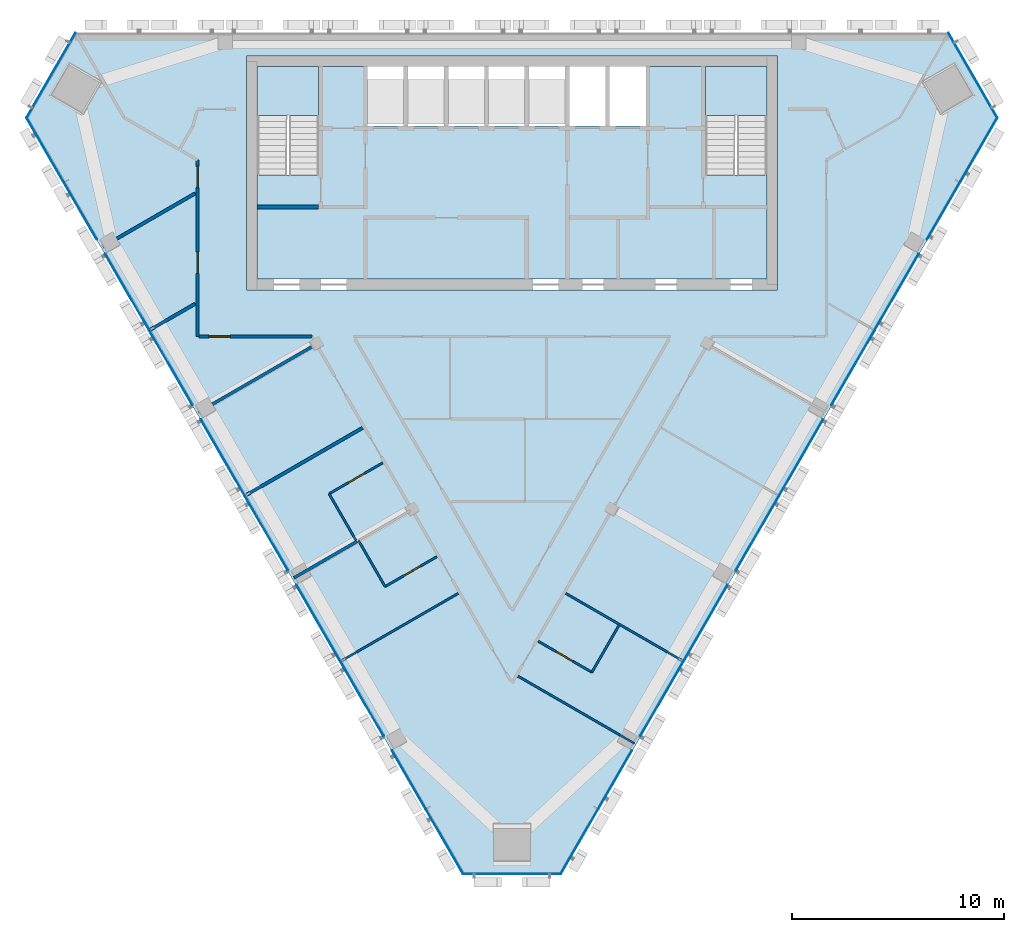
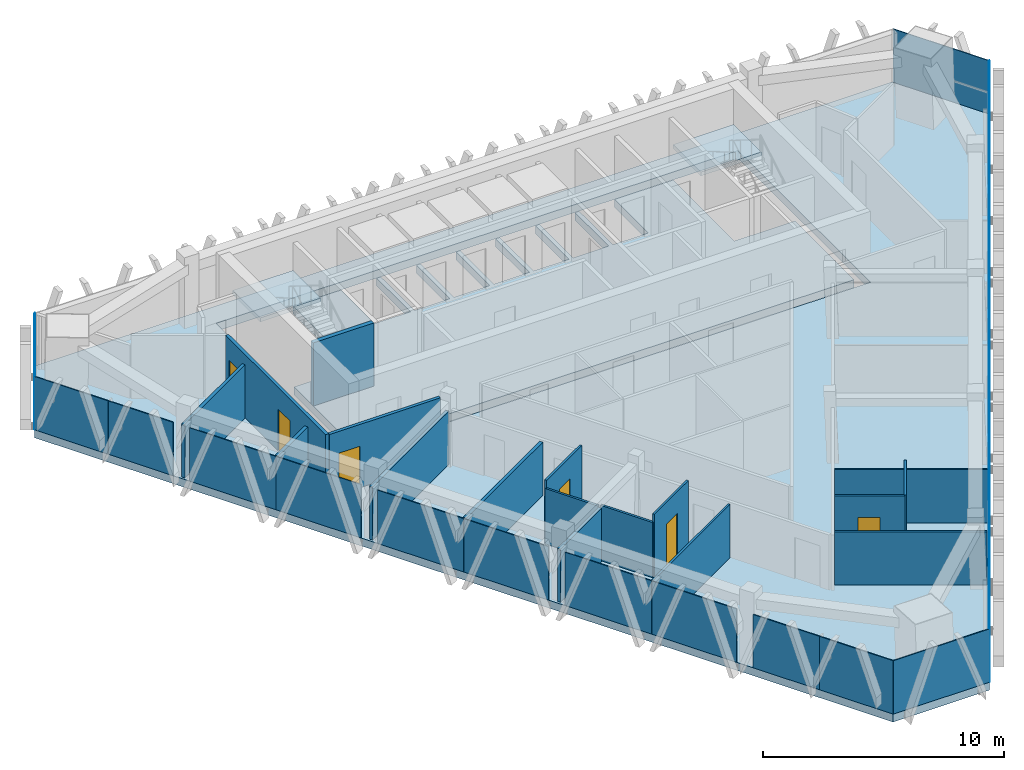
# One storey, part 7 of 12: 23 plates, 17 walls, 6 doors, 4 slabs, 6 openings, 7 elements without a shape of their own.
"""IFC4 building model written with IfcOpenShell, lengths in metres."""

from ifc_helpers import new_model, si_unit, direction, frame, frame_2d, origin, origin_2d, place, context, subcontext, project, spatial, polyline, rectangle, outline, extrude, material, layer, layer_set, type_object, element, fill, aggregate, save


model = new_model("IFC4")

# Units and contexts
model_context = context("Model", 3, precision=1e-05, world=origin(), true_north=direction((0.0, 1.0)))
body_context = subcontext(model_context, "Body", "Model", "MODEL_VIEW")
ifc_project = project(units=[si_unit("LENGTHUNIT", "METRE"), si_unit("AREAUNIT", "SQUARE_METRE"), si_unit("VOLUMEUNIT", "CUBIC_METRE"), si_unit("PLANEANGLEUNIT", "RADIAN"), si_unit("MASSUNIT", "GRAM", prefix="KILO")], contexts=[model_context])

# Site, building, storey
site_placement = place(None, origin())
site = spatial("IfcSite", under=ifc_project, at=site_placement, CompositionType="ELEMENT")
building_placement = place(site_placement, origin())
building = spatial("IfcBuilding", under=site, at=building_placement, Name="Altiplano Prism Tower", CompositionType="ELEMENT")
storey_placement = place(building_placement, frame((0.0, 0.0, 278.800048828125)))
storey = spatial("IfcBuildingStorey", under=building, at=storey_placement, Name="L72", CompositionType="ELEMENT", Elevation=278.800048828125)

# Curtain wall, plate
ifc_material_1 = material(Name="Aluminium and glass", Category="aluminium")
ifc_layer_1 = layer(ifc_material_1, 0.280029296875)
ifc_layer_set_1 = layer_set([ifc_layer_1], Name="Aluminium and glass")
curtain_wall_type = type_object("IfcCurtainWallType", Name="CW1 typical co-living unitised curtain wall", PredefinedType="NOTDEFINED", material=ifc_layer_set_1)
curtain_wall_1_placement = place(storey_placement, origin())
curtain_wall_1 = element("IfcCurtainWall", 1, at=curtain_wall_1_placement, inside=storey, type_object=curtain_wall_type, Name="CW1 curtain wall north-west chamfer L72", PredefinedType="NOTDEFINED")
ifc_material_2 = material(Name="Clear glass", Category="glass")
ifc_layer_2 = layer(ifc_material_2, 0.0400390625)
ifc_layer_set_2 = layer_set([ifc_layer_2], Name="Clear glass")
plate_type = type_object("IfcPlateType", Name="CW1 insulated glass unit 40", PredefinedType="CURTAIN_PANEL", material=ifc_layer_set_2)
plate_1_placement = place(storey_placement, frame((63.296142578125, 102.990966796875, 0.0), z_axis=(0.0, 0.0, 1.0), x_axis=(-0.499999877433, -0.866025474549, 0.0)))
plate_1 = element("IfcPlate", 2, at=plate_1_placement, type_object=plate_type, Name="CW1 panel", PredefinedType="CURTAIN_PANEL", context=body_context, shape_type="SweptSolid", body=[
    extrude(rectangle(XDim=4.6064453125, YDim=0.0400390625, at=origin_2d()), origin(), (0.0, 0.0, 1.0), 2.699951171875),
])
aggregate(curtain_wall_1, [plate_1])

# Curtain wall, plates
curtain_wall_2_placement = place(storey_placement, origin())
curtain_wall_2 = element("IfcCurtainWall", 3, at=curtain_wall_2_placement, inside=storey, type_object=curtain_wall_type, Name="CW1 curtain wall south-west face L72", PredefinedType="NOTDEFINED")
plate_2_placement = place(storey_placement, frame((63.025390625, 99.48193359375, 0.0), z_axis=(0.0, 0.0, 1.0), x_axis=(0.499999990704, -0.866025409151, 0.0)))
plate_2 = element("IfcPlate", 4, at=plate_2_placement, type_object=plate_type, Name="CW1 panel", PredefinedType="CURTAIN_PANEL", context=body_context, shape_type="SweptSolid", body=[
    extrude(rectangle(XDim=3.5234375, YDim=0.0400390625, at=origin_2d()), origin(), (0.0, 0.0, 1.0), 2.699951171875),
])
plate_3_placement = place(storey_placement, frame((64.684814453125, 96.60791015625, 0.0), z_axis=(0.0, 0.0, 1.0), x_axis=(0.499999990704, -0.866025409151, 0.0)))
plate_3 = element("IfcPlate", 5, at=plate_3_placement, type_object=plate_type, Name="CW1 panel", PredefinedType="CURTAIN_PANEL", context=body_context, shape_type="SweptSolid", body=[
    extrude(rectangle(XDim=3.093994140625, YDim=0.0400390625, at=origin_2d()), origin(), (0.0, 0.0, 1.0), 2.699951171875),
])
plate_4_placement = place(storey_placement, frame((66.88818359375, 92.79150390625, 0.0), z_axis=(0.0, 0.0, 1.0), x_axis=(0.499999990704, -0.866025409151, 0.0)))
plate_4 = element("IfcPlate", 6, at=plate_4_placement, type_object=plate_type, Name="CW1 panel", PredefinedType="CURTAIN_PANEL", context=body_context, shape_type="SweptSolid", body=[
    extrude(rectangle(XDim=4.139404296875, YDim=0.0400390625, at=origin_2d()), origin(), (0.0, 0.0, 1.0), 2.699951171875),
])
plate_5_placement = place(storey_placement, frame((68.943115234375, 89.232177734375, 0.0), z_axis=(0.0, 0.0, 1.0), x_axis=(0.499999990704, -0.866025409151, 0.0)))
plate_5 = element("IfcPlate", 7, at=plate_5_placement, type_object=plate_type, Name="CW1 panel", PredefinedType="CURTAIN_PANEL", context=body_context, shape_type="SweptSolid", body=[
    extrude(rectangle(XDim=4.060302734375, YDim=0.0400390625, at=origin_2d()), origin(), (0.0, 0.0, 1.0), 2.699951171875),
])
plate_6_placement = place(storey_placement, frame((71.38818359375, 84.997314453125, 0.0), z_axis=(0.0, 0.0, 1.0), x_axis=(0.499999990704, -0.866025409151, 0.0)))
plate_6 = element("IfcPlate", 8, at=plate_6_placement, type_object=plate_type, Name="CW1 panel", PredefinedType="CURTAIN_PANEL", context=body_context, shape_type="SweptSolid", body=[
    extrude(rectangle(XDim=4.139404296875, YDim=0.0400390625, at=origin_2d()), origin(), (0.0, 0.0, 1.0), 2.699951171875),
])
plate_7_placement = place(storey_placement, frame((73.443115234375, 81.43798828125, 0.0), z_axis=(0.0, 0.0, 1.0), x_axis=(0.499999990704, -0.866025409151, 0.0)))
plate_7 = element("IfcPlate", 9, at=plate_7_placement, type_object=plate_type, Name="CW1 panel", PredefinedType="CURTAIN_PANEL", context=body_context, shape_type="SweptSolid", body=[
    extrude(rectangle(XDim=4.060302734375, YDim=0.0400390625, at=origin_2d()), origin(), (0.0, 0.0, 1.0), 2.699951171875),
])
plate_8_placement = place(storey_placement, frame((75.88818359375, 77.203125, 0.0), z_axis=(0.0, 0.0, 1.0), x_axis=(0.499999990704, -0.866025409151, 0.0)))
plate_8 = element("IfcPlate", 10, at=plate_8_placement, type_object=plate_type, Name="CW1 panel", PredefinedType="CURTAIN_PANEL", context=body_context, shape_type="SweptSolid", body=[
    extrude(rectangle(XDim=4.139404296875, YDim=0.0400390625, at=origin_2d()), origin(), (0.0, 0.0, 1.0), 2.699951171875),
])
plate_9_placement = place(storey_placement, frame((77.943115234375, 73.643798828125, 0.0), z_axis=(0.0, 0.0, 1.0), x_axis=(0.499999990704, -0.866025409151, 0.0)))
plate_9 = element("IfcPlate", 11, at=plate_9_placement, type_object=plate_type, Name="CW1 panel", PredefinedType="CURTAIN_PANEL", context=body_context, shape_type="SweptSolid", body=[
    extrude(rectangle(XDim=4.060302734375, YDim=0.0400390625, at=origin_2d()), origin(), (0.0, 0.0, 1.0), 2.699951171875),
])
plate_10_placement = place(storey_placement, frame((80.146728515625, 69.827392578125, 0.0), z_axis=(0.0, 0.0, 1.0), x_axis=(0.499999990704, -0.866025409151, 0.0)))
plate_10 = element("IfcPlate", 12, at=plate_10_placement, type_object=plate_type, Name="CW1 panel", PredefinedType="CURTAIN_PANEL", context=body_context, shape_type="SweptSolid", body=[
    extrude(rectangle(XDim=3.173095703125, YDim=0.0400390625, at=origin_2d()), origin(), (0.0, 0.0, 1.0), 2.699951171875),
])
plate_11_placement = place(storey_placement, frame((81.82568359375, 66.9189453125, 0.0), z_axis=(0.0, 0.0, 1.0), x_axis=(0.499999990704, -0.866025409151, 0.0)))
plate_11 = element("IfcPlate", 13, at=plate_11_placement, type_object=plate_type, Name="CW1 panel", PredefinedType="CURTAIN_PANEL", context=body_context, shape_type="SweptSolid", body=[
    extrude(rectangle(XDim=3.5234375, YDim=0.0400390625, at=origin_2d()), origin(), (0.0, 0.0, 1.0), 2.699951171875),
])
aggregate(curtain_wall_2, [plate_2, plate_3, plate_4, plate_5, plate_6, plate_7, plate_8, plate_9, plate_10, plate_11])

# Curtain wall, plate
curtain_wall_3_placement = place(storey_placement, origin())
curtain_wall_3 = element("IfcCurtainWall", 14, at=curtain_wall_3_placement, inside=storey, type_object=curtain_wall_type, Name="CW1 curtain wall south chamfer L72", PredefinedType="NOTDEFINED")
plate_12_placement = place(storey_placement, frame((85.0, 65.39892578125, 0.0), z_axis=(0.0, 0.0, 1.0), x_axis=(1.0, 0.0, 0.0)))
plate_12 = element("IfcPlate", 15, at=plate_12_placement, type_object=plate_type, Name="CW1 panel", PredefinedType="CURTAIN_PANEL", context=body_context, shape_type="SweptSolid", body=[
    extrude(rectangle(XDim=4.6064453125, YDim=0.0400390625, at=origin_2d()), origin(), (0.0, 0.0, 1.0), 2.699951171875),
])
aggregate(curtain_wall_3, [plate_12])

# Curtain wall, plates
curtain_wall_4_placement = place(storey_placement, origin())
curtain_wall_4 = element("IfcCurtainWall", 16, at=curtain_wall_4_placement, inside=storey, type_object=curtain_wall_type, Name="CW1 curtain wall south-east face L72", PredefinedType="NOTDEFINED")
plate_13_placement = place(storey_placement, frame((88.17431640625, 66.9189453125, 0.0), z_axis=(0.0, 0.0, 1.0), x_axis=(0.499999990704, 0.866025409151, 0.0)))
plate_13 = element("IfcPlate", 17, at=plate_13_placement, type_object=plate_type, Name="CW1 panel", PredefinedType="CURTAIN_PANEL", context=body_context, shape_type="SweptSolid", body=[
    extrude(rectangle(XDim=3.5234375, YDim=0.0400390625, at=origin_2d()), origin(), (0.0, 0.0, 1.0), 2.699951171875),
])
plate_14_placement = place(storey_placement, frame((89.853271484375, 69.827392578125, 0.0), z_axis=(0.0, 0.0, 1.0), x_axis=(0.499999990704, 0.866025409151, 0.0)))
plate_14 = element("IfcPlate", 18, at=plate_14_placement, type_object=plate_type, Name="CW1 panel", PredefinedType="CURTAIN_PANEL", context=body_context, shape_type="SweptSolid", body=[
    extrude(rectangle(XDim=3.173095703125, YDim=0.0400390625, at=origin_2d()), origin(), (0.0, 0.0, 1.0), 2.699951171875),
])
plate_15_placement = place(storey_placement, frame((92.056884765625, 73.643798828125, 0.0), z_axis=(0.0, 0.0, 1.0), x_axis=(0.499999990704, 0.866025409151, 0.0)))
plate_15 = element("IfcPlate", 19, at=plate_15_placement, type_object=plate_type, Name="CW1 panel", PredefinedType="CURTAIN_PANEL", context=body_context, shape_type="SweptSolid", body=[
    extrude(rectangle(XDim=4.060302734375, YDim=0.0400390625, at=origin_2d()), origin(), (0.0, 0.0, 1.0), 2.699951171875),
])
plate_16_placement = place(storey_placement, frame((94.11181640625, 77.203125, 0.0), z_axis=(0.0, 0.0, 1.0), x_axis=(0.499999990704, 0.866025409151, 0.0)))
plate_16 = element("IfcPlate", 20, at=plate_16_placement, type_object=plate_type, Name="CW1 panel", PredefinedType="CURTAIN_PANEL", context=body_context, shape_type="SweptSolid", body=[
    extrude(rectangle(XDim=4.139404296875, YDim=0.0400390625, at=origin_2d()), origin(), (0.0, 0.0, 1.0), 2.699951171875),
])
plate_17_placement = place(storey_placement, frame((96.556884765625, 81.43798828125, 0.0), z_axis=(0.0, 0.0, 1.0), x_axis=(0.499999990704, 0.866025409151, 0.0)))
plate_17 = element("IfcPlate", 21, at=plate_17_placement, type_object=plate_type, Name="CW1 panel", PredefinedType="CURTAIN_PANEL", context=body_context, shape_type="SweptSolid", body=[
    extrude(rectangle(XDim=4.060302734375, YDim=0.0400390625, at=origin_2d()), origin(), (0.0, 0.0, 1.0), 2.699951171875),
])
plate_18_placement = place(storey_placement, frame((98.61181640625, 84.997314453125, 0.0), z_axis=(0.0, 0.0, 1.0), x_axis=(0.499999990704, 0.866025409151, 0.0)))
plate_18 = element("IfcPlate", 22, at=plate_18_placement, type_object=plate_type, Name="CW1 panel", PredefinedType="CURTAIN_PANEL", context=body_context, shape_type="SweptSolid", body=[
    extrude(rectangle(XDim=4.139404296875, YDim=0.0400390625, at=origin_2d()), origin(), (0.0, 0.0, 1.0), 2.699951171875),
])
plate_19_placement = place(storey_placement, frame((101.056884765625, 89.232177734375, 0.0), z_axis=(0.0, 0.0, 1.0), x_axis=(0.499999990704, 0.866025409151, 0.0)))
plate_19 = element("IfcPlate", 23, at=plate_19_placement, type_object=plate_type, Name="CW1 panel", PredefinedType="CURTAIN_PANEL", context=body_context, shape_type="SweptSolid", body=[
    extrude(rectangle(XDim=4.060302734375, YDim=0.0400390625, at=origin_2d()), origin(), (0.0, 0.0, 1.0), 2.699951171875),
])
plate_20_placement = place(storey_placement, frame((103.11181640625, 92.79150390625, 0.0), z_axis=(0.0, 0.0, 1.0), x_axis=(0.499999990704, 0.866025409151, 0.0)))
plate_20 = element("IfcPlate", 24, at=plate_20_placement, type_object=plate_type, Name="CW1 panel", PredefinedType="CURTAIN_PANEL", context=body_context, shape_type="SweptSolid", body=[
    extrude(rectangle(XDim=4.139404296875, YDim=0.0400390625, at=origin_2d()), origin(), (0.0, 0.0, 1.0), 2.699951171875),
])
plate_21_placement = place(storey_placement, frame((105.315185546875, 96.60791015625, 0.0), z_axis=(0.0, 0.0, 1.0), x_axis=(0.499999990704, 0.866025409151, 0.0)))
plate_21 = element("IfcPlate", 25, at=plate_21_placement, type_object=plate_type, Name="CW1 panel", PredefinedType="CURTAIN_PANEL", context=body_context, shape_type="SweptSolid", body=[
    extrude(rectangle(XDim=3.093994140625, YDim=0.0400390625, at=origin_2d()), origin(), (0.0, 0.0, 1.0), 2.699951171875),
])
plate_22_placement = place(storey_placement, frame((106.974609375, 99.48193359375, 0.0), z_axis=(0.0, 0.0, 1.0), x_axis=(0.499999990704, 0.866025409151, 0.0)))
plate_22 = element("IfcPlate", 26, at=plate_22_placement, type_object=plate_type, Name="CW1 panel", PredefinedType="CURTAIN_PANEL", context=body_context, shape_type="SweptSolid", body=[
    extrude(rectangle(XDim=3.5234375, YDim=0.0400390625, at=origin_2d()), origin(), (0.0, 0.0, 1.0), 2.699951171875),
])
aggregate(curtain_wall_4, [plate_13, plate_14, plate_15, plate_16, plate_17, plate_18, plate_19, plate_20, plate_21, plate_22])

# Curtain wall, plate
curtain_wall_5_placement = place(storey_placement, origin())
curtain_wall_5 = element("IfcCurtainWall", 27, at=curtain_wall_5_placement, inside=storey, type_object=curtain_wall_type, Name="CW1 curtain wall north-east chamfer L72", PredefinedType="NOTDEFINED")
plate_23_placement = place(storey_placement, frame((106.703857421875, 102.990966796875, 0.0), z_axis=(0.0, 0.0, 1.0), x_axis=(-0.499999877433, 0.866025474549, 0.0)))
plate_23 = element("IfcPlate", 28, at=plate_23_placement, type_object=plate_type, Name="CW1 panel", PredefinedType="CURTAIN_PANEL", context=body_context, shape_type="SweptSolid", body=[
    extrude(rectangle(XDim=4.6064453125, YDim=0.0400390625, at=origin_2d()), origin(), (0.0, 0.0, 1.0), 2.699951171875),
])
aggregate(curtain_wall_5, [plate_23])

# Slabs
ifc_material_3 = material(Name="Concrete C40/50", Category="concrete")
ifc_layer_3 = layer(ifc_material_3, 0.39990234375)
ifc_layer_set_3 = layer_set([ifc_layer_3], Name="Concrete C40/50")
slab_type_1 = type_object("IfcSlabType", Name="Core floor slab 400", PredefinedType="FLOOR", material=ifc_layer_set_3)
slab_1_placement = place(storey_placement, frame((0.0, 0.0, -0.400146484375)))
element("IfcSlab", 29, at=slab_1_placement, inside=storey, type_object=slab_type_1, Name="Core floor slab L72", PredefinedType="FLOOR", context=body_context, shape_type="SweptSolid", body=[
    extrude(outline(polyline([(97.0, 98.31005859375), (94.10009765625, 98.31005859375), (94.10009765625, 103.39990234375), (91.300048828125, 103.39990234375), (91.300048828125, 100.60009765625), (89.60009765625, 100.60009765625), (89.60009765625, 103.39990234375), (89.39990234375, 103.39990234375), (89.39990234375, 100.60009765625), (87.699951171875, 100.60009765625), (87.699951171875, 103.39990234375), (87.5, 103.39990234375), (87.5, 100.60009765625), (85.800048828125, 100.60009765625), (85.800048828125, 103.39990234375), (85.60009765625, 103.39990234375), (85.60009765625, 100.60009765625), (83.89990234375, 100.60009765625), (83.89990234375, 103.39990234375), (83.699951171875, 103.39990234375), (83.699951171875, 100.60009765625), (82.0, 100.60009765625), (82.0, 103.39990234375), (81.800048828125, 103.39990234375), (81.800048828125, 100.60009765625), (80.10009765625, 100.60009765625), (80.10009765625, 103.39990234375), (79.89990234375, 103.39990234375), (79.89990234375, 100.60009765625), (78.199951171875, 100.60009765625), (78.199951171875, 103.39990234375), (75.89990234375, 103.39990234375), (75.89990234375, 98.31005859375), (73.0, 98.31005859375), (73.0, 93.39990234375), (97.0, 93.39990234375), (97.0, 98.31005859375)])), origin(), (0.0, 0.0, 1.0), 0.400146484375),
])
ifc_layer_4 = layer(ifc_material_3, 0.39990234375)
ifc_layer_set_4 = layer_set([ifc_layer_4], Name="Concrete C40/50")
slab_type_2 = type_object("IfcSlabType", Name="Post-tensioned flat slab 400", PredefinedType="FLOOR", material=ifc_layer_set_4)
slab_2_placement = place(storey_placement, frame((0.0, 0.0, -0.400146484375)))
element("IfcSlab", 30, at=slab_2_placement, inside=storey, type_object=slab_type_2, Name="Floor slab L72", PredefinedType="FLOOR", context=body_context, shape_type="SweptSolid", body=[
    extrude(outline(polyline([(107.875244140625, 101.002197265625), (87.30810546875, 65.37890625), (82.69189453125, 65.37890625), (62.124755859375, 101.002197265625), (64.432861328125, 105.0), (105.567138671875, 105.0), (107.875244140625, 101.002197265625)]), holes=[polyline([(97.5, 92.89990234375), (97.5, 103.89990234375), (72.5, 103.89990234375), (72.5, 92.89990234375), (97.5, 92.89990234375)])]), origin(), (0.0, 0.0, 1.0), 0.400146484375),
])

# Stair, slab
stair_type = type_object("IfcStairType", Name="Exit stair 1400", PredefinedType="HALF_TURN_STAIR", material=ifc_material_3)
stair_1_placement = place(storey_placement, origin())
stair_1 = element("IfcStair", 31, at=stair_1_placement, inside=storey, type_object=stair_type, Name="L72 Exit Stair 1", PredefinedType="HALF_TURN_STAIR")
ifc_layer_5 = layer(ifc_material_3, 0.199951171875)
ifc_layer_set_5 = layer_set([ifc_layer_5], Name="Concrete C40/50")
slab_type_3 = type_object("IfcSlabType", Name="Stair landing 200", PredefinedType="LANDING", material=ifc_layer_set_5)
slab_3_placement = place(storey_placement, frame((0.0, 0.0, 1.599853515625)))
slab_3 = element("IfcSlab", 32, at=slab_3_placement, type_object=slab_type_3, Name="ST1 landing 1", PredefinedType="LANDING", context=body_context, shape_type="SweptSolid", body=[
    extrude(outline(polyline([(75.89990234375, 101.096923828125), (75.89990234375, 103.39990234375), (73.0, 103.39990234375), (73.0, 101.096923828125), (75.89990234375, 101.096923828125)])), origin(), (0.0, 0.0, 1.0), 0.2001953125),
])
aggregate(stair_1, [slab_3])

stair_2_placement = place(storey_placement, origin())
stair_2 = element("IfcStair", 33, at=stair_2_placement, inside=storey, type_object=stair_type, Name="L72 Exit Stair 2", PredefinedType="HALF_TURN_STAIR")
slab_4_placement = place(storey_placement, frame((0.0, 0.0, 1.599853515625)))
slab_4 = element("IfcSlab", 34, at=slab_4_placement, type_object=slab_type_3, Name="ST2 landing 1", PredefinedType="LANDING", context=body_context, shape_type="SweptSolid", body=[
    extrude(outline(polyline([(97.0, 101.096923828125), (97.0, 103.39990234375), (94.10009765625, 103.39990234375), (94.10009765625, 101.096923828125), (97.0, 101.096923828125)])), origin(), (0.0, 0.0, 1.0), 0.2001953125),
])
aggregate(stair_2, [slab_4])

# Wall
ifc_material_4 = material(Name="Plasterboard on steel stud", Category="steel")
ifc_layer_6 = layer(ifc_material_4, 0.10009765625)
ifc_layer_set_6 = layer_set([ifc_layer_6], Name="Plasterboard on steel stud")
wall_type_1 = type_object("IfcWallType", Name="Partition 100 unit", PredefinedType="PARTITIONING", material=ifc_layer_set_6)
wall_1_placement = place(storey_placement, frame((77.65185546875, 81.1083984375, 0.0), z_axis=(0.0, 0.0, 1.0), x_axis=(-0.499976333282, 0.866039067339, 0.0)))
element("IfcWall", 35, at=wall_1_placement, inside=storey, type_object=wall_type_1, Name="Partition P02 L72 031", PredefinedType="PARTITIONING", context=body_context, shape_type="SweptSolid", body=[
    extrude(rectangle(XDim=2.52490234375, YDim=0.10009765625, at=frame_2d((1.262451171875, 0.0))), origin(), (0.0, 0.0, 1.0), 2.800048828125),
])

# Wall, opening, door
wall_2_placement = place(storey_placement, frame((76.389404296875, 83.295166015625, 0.0), z_axis=(0.0, 0.0, 1.0), x_axis=(0.866046596414, 0.499963291492, 0.0)))
wall_2 = element("IfcWall", 36, at=wall_2_placement, inside=storey, type_object=wall_type_1, Name="Partition P02 L72 032", PredefinedType="PARTITIONING", context=body_context, shape_type="SweptSolid", body=[
    extrude(rectangle(XDim=2.925048828125, YDim=0.10009765625, at=frame_2d((1.46240234375, 0.0))), origin(), (0.0, 0.0, 1.0), 3.199951171875),
])
opening_1_placement = place(wall_2_placement, frame((1.050048828125, 0.0, 0.0)))
opening_1 = element("IfcOpeningElement", 37, at=opening_1_placement, cuts=wall_2, Name="Opening D2256", PredefinedType="OPENING", context=body_context, shape_type="SweptSolid", body=[
    extrude(rectangle(XDim=0.89990234375, YDim=2.10009765625, at=frame_2d((0.449951171875, 1.050048828125))), frame((0.0, 0.060546875, 0.0), z_axis=(0.0, -1.0, 0.0), x_axis=(1.0, 0.0, 0.0)), (0.0, 0.0, 1.0), 0.12109375),
])
ifc_material_5 = material(Name="Timber", Category="wood")
door_type_1 = type_object("IfcDoorType", Name="Ensuite door 900 x 2100", OperationType="NOTDEFINED", PredefinedType="NOTDEFINED", material=ifc_material_5)
door_1_placement = place(opening_1_placement, origin())
door_1 = element("IfcDoor", 38, at=door_1_placement, inside=storey, type_object=door_type_1, Name="Door D2256", OperationType="SINGLE_SWING_RIGHT", OverallHeight=2.10009765625, OverallWidth=0.89990234375, PredefinedType="NOTDEFINED", context=body_context, shape_type="SweptSolid", body=[
    extrude(rectangle(XDim=0.89990234375, YDim=2.10009765625, at=frame_2d((0.449951171875, 1.050048828125))), frame((0.0, 0.02490234375, 0.0), z_axis=(0.0, -1.0, 0.0), x_axis=(1.0, 0.0, 0.0)), (0.0, 0.0, 1.0), 0.050048828125),
])
fill(opening_1, door_1)

wall_3_placement = place(storey_placement, frame((81.472412109375, 80.3408203125, 0.0), z_axis=(0.0, 0.0, 1.0), x_axis=(-0.866048868473, -0.499959355765, 0.0)))
wall_3 = element("IfcWall", 39, at=wall_3_placement, inside=storey, type_object=wall_type_1, Name="Partition P02 L72 035", PredefinedType="PARTITIONING", context=body_context, shape_type="SweptSolid", body=[
    extrude(rectangle(XDim=2.824951171875, YDim=0.10009765625, at=frame_2d((1.41259765625, 0.0))), origin(), (0.0, 0.0, 1.0), 3.199951171875),
])
opening_2_placement = place(wall_3_placement, frame((0.925048828125, 0.0, 0.0)))
opening_2 = element("IfcOpeningElement", 40, at=opening_2_placement, cuts=wall_3, Name="Opening D2258", PredefinedType="OPENING", context=body_context, shape_type="SweptSolid", body=[
    extrude(rectangle(XDim=0.89990234375, YDim=2.10009765625, at=frame_2d((0.449951171875, 1.050048828125))), frame((0.0, 0.060546875, 0.0), z_axis=(0.0, -1.0, 0.0), x_axis=(1.0, 0.0, 0.0)), (0.0, 0.0, 1.0), 0.12109375),
])
door_2_placement = place(opening_2_placement, origin())
door_2 = element("IfcDoor", 41, at=door_2_placement, inside=storey, type_object=door_type_1, Name="Door D2258", OperationType="SINGLE_SWING_LEFT", OverallHeight=2.10009765625, OverallWidth=0.89990234375, PredefinedType="NOTDEFINED", context=body_context, shape_type="SweptSolid", body=[
    extrude(rectangle(XDim=0.89990234375, YDim=2.10009765625, at=frame_2d((0.449951171875, 1.050048828125))), frame((0.0, 0.02490234375, 0.0), z_axis=(0.0, -1.0, 0.0), x_axis=(1.0, 0.0, 0.0)), (0.0, 0.0, 1.0), 0.050048828125),
])
fill(opening_2, door_2)

# Walls
wall_4_placement = place(storey_placement, frame((79.02587890625, 78.928466796875, 0.0), z_axis=(0.0, 0.0, 1.0), x_axis=(-0.500004234368, 0.866022959057, 0.0)))
element("IfcWall", 42, at=wall_4_placement, inside=storey, type_object=wall_type_1, Name="Partition P02 L72 036", PredefinedType="PARTITIONING", context=body_context, shape_type="SweptSolid", body=[
    extrude(rectangle(XDim=2.5, YDim=0.10009765625, at=frame_2d((1.25, 0.0))), origin(), (0.0, 0.0, 1.0), 2.800048828125),
])
wall_5_placement = place(storey_placement, frame((90.03564453125, 77.10302734375, 0.0), z_axis=(0.0, 0.0, 1.0), x_axis=(-0.500020783669, -0.866013403995, 0.0)))
element("IfcWall", 43, at=wall_5_placement, inside=storey, type_object=wall_type_1, Name="Partition P02 L72 039", PredefinedType="PARTITIONING", context=body_context, shape_type="SweptSolid", body=[
    extrude(rectangle(XDim=2.55029296875, YDim=0.10009765625, at=frame_2d((1.275146484375, 0.0))), origin(), (0.0, 0.0, 1.0), 3.199951171875),
])

# Wall, opening, door
wall_6_placement = place(storey_placement, frame((88.760498046875, 74.89453125, 0.0), z_axis=(0.0, 0.0, 1.0), x_axis=(-0.865989585315, 0.500062034277, 0.0)))
wall_6 = element("IfcWall", 44, at=wall_6_placement, inside=storey, type_object=wall_type_1, Name="Partition P02 L72 040", PredefinedType="PARTITIONING", context=body_context, shape_type="SweptSolid", body=[
    extrude(rectangle(XDim=2.925048828125, YDim=0.10009765625, at=frame_2d((1.46240234375, 0.0))), origin(), (0.0, 0.0, 1.0), 3.199951171875),
])
opening_3_placement = place(wall_6_placement, frame((1.050048828125, 0.0, 0.0)))
opening_3 = element("IfcOpeningElement", 45, at=opening_3_placement, cuts=wall_6, Name="Opening D2261", PredefinedType="OPENING", context=body_context, shape_type="SweptSolid", body=[
    extrude(rectangle(XDim=0.89990234375, YDim=2.10009765625, at=frame_2d((0.449951171875, 1.050048828125))), frame((0.0, 0.060546875, 0.0), z_axis=(0.0, -1.0, 0.0), x_axis=(1.0, 0.0, 0.0)), (0.0, 0.0, 1.0), 0.12109375),
])
door_3_placement = place(opening_3_placement, origin())
door_3 = element("IfcDoor", 46, at=door_3_placement, inside=storey, type_object=door_type_1, Name="Door D2261", OperationType="SINGLE_SWING_LEFT", OverallHeight=2.10009765625, OverallWidth=0.89990234375, PredefinedType="NOTDEFINED", context=body_context, shape_type="SweptSolid", body=[
    extrude(rectangle(XDim=0.89990234375, YDim=2.10009765625, at=frame_2d((0.449951171875, 1.050048828125))), frame((0.0, 0.02490234375, 0.0), z_axis=(0.0, -1.0, 0.0), x_axis=(1.0, 0.0, 0.0)), (0.0, 0.0, 1.0), 0.050048828125),
])
fill(opening_3, door_3)

# Walls
ifc_layer_7 = layer(ifc_material_4, 0.10009765625)
ifc_layer_set_7 = layer_set([ifc_layer_7], Name="Plasterboard on steel stud")
wall_type_2 = type_object("IfcWallType", Name="Partition 100 wet", PredefinedType="PARTITIONING", material=ifc_layer_set_7)
wall_7_placement = place(storey_placement, frame((76.977294921875, 75.436279296875, 0.0), z_axis=(0.0, 0.0, 1.0), x_axis=(0.866025401434, 0.500000004071, 0.0)))
element("IfcWall", 47, at=wall_7_placement, inside=storey, type_object=wall_type_2, Name="Partition P03 L72 037", PredefinedType="PARTITIONING", context=body_context, shape_type="SweptSolid", body=[
    extrude(rectangle(XDim=6.34521484375, YDim=0.10009765625, at=frame_2d((3.172607421875, 0.0))), origin(), (0.0, 0.0, 1.0), 2.699951171875),
])
wall_8_placement = place(storey_placement, frame((90.755126953125, 71.549072265625, 0.0), z_axis=(0.0, 0.0, 1.0), x_axis=(-0.866015887322, 0.500016482634, 0.0)))
element("IfcWall", 48, at=wall_8_placement, inside=storey, type_object=wall_type_2, Name="Partition P03 L72 038", PredefinedType="PARTITIONING", context=body_context, shape_type="SweptSolid", body=[
    extrude(rectangle(XDim=6.324951171875, YDim=0.10009765625, at=frame_2d((3.16259765625, 0.0))), origin(), (0.0, 0.0, 1.0), 2.699951171875),
])
wall_9_placement = place(storey_placement, frame((93.022705078125, 75.436279296875, 0.0), z_axis=(0.0, 0.0, 1.0), x_axis=(-0.866025401434, 0.500000004071, 0.0)))
element("IfcWall", 49, at=wall_9_placement, inside=storey, type_object=wall_type_2, Name="Partition P03 L72 041", PredefinedType="PARTITIONING", context=body_context, shape_type="SweptSolid", body=[
    extrude(rectangle(XDim=6.34521484375, YDim=0.10009765625, at=frame_2d((3.172607421875, 0.0))), origin(), (0.0, 0.0, 1.0), 2.699951171875),
])

# Wall, openings, doors
ifc_layer_8 = layer(ifc_material_4, 0.14990234375)
ifc_layer_set_8 = layer_set([ifc_layer_8], Name="Plasterboard on steel stud")
wall_type_3 = type_object("IfcWallType", Name="Partition 150 corridor", PredefinedType="PARTITIONING", material=ifc_layer_set_8)
wall_10_placement = place(storey_placement, frame((70.199951171875, 99.005126953125, 0.0), z_axis=(0.0, 0.0, 1.0), x_axis=(0.0, -1.0, 0.0)))
wall_10 = element("IfcWall", 50, at=wall_10_placement, inside=storey, type_object=wall_type_3, Name="Partition P06 L72 005", PredefinedType="PARTITIONING", context=body_context, shape_type="SweptSolid", body=[
    extrude(rectangle(XDim=8.30517578125, YDim=0.14990234375, at=frame_2d((4.152587890625, 0.0))), origin(), (0.0, 0.0, 1.0), 3.199951171875),
])
opening_4_placement = place(wall_10_placement, frame((0.298095703125, 0.0, 0.0)))
opening_4 = element("IfcOpeningElement", 51, at=opening_4_placement, cuts=wall_10, Name="Opening D2251", PredefinedType="OPENING", context=body_context, shape_type="SweptSolid", body=[
    extrude(rectangle(XDim=1.0, YDim=2.10009765625, at=frame_2d((0.5, 1.050048828125))), frame((0.0, 0.08544921875, 0.0), z_axis=(0.0, -1.0, 0.0), x_axis=(1.0, 0.0, 0.0)), (0.0, 0.0, 1.0), 0.1708984375),
])
opening_5_placement = place(wall_10_placement, frame((4.3359375, 0.0, 0.0)))
opening_5 = element("IfcOpeningElement", 52, at=opening_5_placement, cuts=wall_10, Name="Opening D2252", PredefinedType="OPENING", context=body_context, shape_type="SweptSolid", body=[
    extrude(rectangle(XDim=1.0, YDim=2.10009765625, at=frame_2d((0.5, 1.050048828125))), frame((0.0, 0.08544921875, 0.0), z_axis=(0.0, -1.0, 0.0), x_axis=(1.0, 0.0, 0.0)), (0.0, 0.0, 1.0), 0.1708984375),
])
door_type_2 = type_object("IfcDoorType", Name="Room door 1000 x 2100", OperationType="NOTDEFINED", PredefinedType="NOTDEFINED", material=ifc_material_5)
door_4_placement = place(opening_4_placement, origin())
door_4 = element("IfcDoor", 53, at=door_4_placement, inside=storey, type_object=door_type_2, Name="Door D2251", OperationType="SINGLE_SWING_LEFT", OverallHeight=2.10009765625, OverallWidth=1.0, PredefinedType="NOTDEFINED", context=body_context, shape_type="SweptSolid", body=[
    extrude(rectangle(XDim=1.0, YDim=2.10009765625, at=frame_2d((0.5, 1.050048828125))), frame((0.0, 0.02490234375, 0.0), z_axis=(0.0, -1.0, 0.0), x_axis=(1.0, 0.0, 0.0)), (0.0, 0.0, 1.0), 0.050048828125),
])
fill(opening_4, door_4)
door_5_placement = place(opening_5_placement, origin())
door_5 = element("IfcDoor", 54, at=door_5_placement, inside=storey, type_object=door_type_2, Name="Door D2252", OperationType="SINGLE_SWING_LEFT", OverallHeight=2.10009765625, OverallWidth=1.0, PredefinedType="NOTDEFINED", context=body_context, shape_type="SweptSolid", body=[
    extrude(rectangle(XDim=1.0, YDim=2.10009765625, at=frame_2d((0.5, 1.050048828125))), frame((0.0, 0.02490234375, 0.0), z_axis=(0.0, -1.0, 0.0), x_axis=(1.0, 0.0, 0.0)), (0.0, 0.0, 1.0), 0.050048828125),
])
fill(opening_5, door_5)

# Wall, opening, door
wall_11_placement = place(storey_placement, frame((70.27490234375, 90.699951171875, 0.0), z_axis=(0.0, 0.0, 1.0), x_axis=(1.0, 0.0, 0.0)))
wall_11 = element("IfcWall", 55, at=wall_11_placement, inside=storey, type_object=wall_type_3, Name="Partition P06 L72 006", PredefinedType="PARTITIONING", context=body_context, shape_type="SweptSolid", body=[
    extrude(rectangle(XDim=5.303466796875, YDim=0.14990234375, at=frame_2d((2.65185546875, 0.0))), origin(), (0.0, 0.0, 1.0), 3.199951171875),
])
opening_6_placement = place(wall_11_placement, frame((0.45703125, 0.0, 0.0)))
opening_6 = element("IfcOpeningElement", 56, at=opening_6_placement, cuts=wall_11, Name="Opening D2253", PredefinedType="OPENING", context=body_context, shape_type="SweptSolid", body=[
    extrude(rectangle(XDim=1.0, YDim=2.10009765625, at=frame_2d((0.5, 1.050048828125))), frame((0.0, 0.08544921875, 0.0), z_axis=(0.0, -1.0, 0.0), x_axis=(1.0, 0.0, 0.0)), (0.0, 0.0, 1.0), 0.1708984375),
])
door_6_placement = place(opening_6_placement, origin())
door_6 = element("IfcDoor", 57, at=door_6_placement, inside=storey, type_object=door_type_2, Name="Door D2253", OperationType="SINGLE_SWING_RIGHT", OverallHeight=2.10009765625, OverallWidth=1.0, PredefinedType="NOTDEFINED", context=body_context, shape_type="SweptSolid", body=[
    extrude(rectangle(XDim=1.0, YDim=2.10009765625, at=frame_2d((0.5, 1.050048828125))), frame((0.0, 0.02490234375, 0.0), z_axis=(0.0, -1.0, 0.0), x_axis=(1.0, 0.0, 0.0)), (0.0, 0.0, 1.0), 0.050048828125),
])
fill(opening_6, door_6)

# Walls
ifc_layer_9 = layer(ifc_material_4, 0.14990234375)
ifc_layer_set_9 = layer_set([ifc_layer_9], Name="Plasterboard on steel stud")
wall_type_4 = type_object("IfcWallType", Name="Partition 150 party", PredefinedType="PARTITIONING", material=ifc_layer_set_9)
wall_12_placement = place(storey_placement, frame((65.744873046875, 94.931884765625, 0.0), z_axis=(0.0, 0.0, 1.0), x_axis=(0.866032345022, 0.499987977232, 0.0)))
element("IfcWall", 58, at=wall_12_placement, inside=storey, type_object=wall_type_4, Name="Partition P01 L72 025", PredefinedType="PARTITIONING", context=body_context, shape_type="SweptSolid", body=[
    extrude(rectangle(XDim=5.01416015625, YDim=0.14990234375, at=frame_2d((2.507080078125, 0.0))), origin(), (0.0, 0.0, 1.0), 2.699951171875),
])
wall_13_placement = place(storey_placement, frame((67.977294921875, 91.024658203125, 0.0), z_axis=(0.0, 0.0, 1.0), x_axis=(0.866027068856, 0.499997116, 0.0)))
element("IfcWall", 59, at=wall_13_placement, inside=storey, type_object=wall_type_4, Name="Partition P01 L72 028", PredefinedType="PARTITIONING", context=body_context, shape_type="SweptSolid", body=[
    extrude(rectangle(XDim=2.4365234375, YDim=0.14990234375, at=frame_2d((1.21826171875, 0.0))), origin(), (0.0, 0.0, 1.0), 2.699951171875),
])
wall_14_placement = place(storey_placement, frame((70.244873046875, 87.1376953125, 0.0), z_axis=(0.0, 0.0, 1.0), x_axis=(0.866032601554, 0.49998753289, 0.0)))
element("IfcWall", 60, at=wall_14_placement, inside=storey, type_object=wall_type_4, Name="Partition P01 L72 029", PredefinedType="PARTITIONING", context=body_context, shape_type="SweptSolid", body=[
    extrude(rectangle(XDim=6.324951171875, YDim=0.14990234375, at=frame_2d((3.16259765625, 0.0))), origin(), (0.0, 0.0, 1.0), 2.699951171875),
])
wall_15_placement = place(storey_placement, frame((72.477294921875, 83.23046875, 0.0), z_axis=(0.0, 0.0, 1.0), x_axis=(0.866025401434, 0.500000004071, 0.0)))
element("IfcWall", 61, at=wall_15_placement, inside=storey, type_object=wall_type_4, Name="Partition P01 L72 030", PredefinedType="PARTITIONING", context=body_context, shape_type="SweptSolid", body=[
    extrude(rectangle(XDim=6.34521484375, YDim=0.14990234375, at=frame_2d((3.172607421875, 0.0))), origin(), (0.0, 0.0, 1.0), 2.699951171875),
])
wall_16_placement = place(storey_placement, frame((74.744873046875, 79.343505859375, 0.0), z_axis=(0.0, 0.0, 1.0), x_axis=(0.866038183914, 0.499977863513, 0.0)))
element("IfcWall", 62, at=wall_16_placement, inside=storey, type_object=wall_type_4, Name="Partition P01 L72 033", PredefinedType="PARTITIONING", context=body_context, shape_type="SweptSolid", body=[
    extrude(rectangle(XDim=3.420166015625, YDim=0.14990234375, at=frame_2d((1.7099609375, 0.0))), origin(), (0.0, 0.0, 1.0), 2.699951171875),
])
ifc_material_6 = material(Name="Concrete C60/75", Category="concrete")
ifc_layer_10 = layer(ifc_material_6, 0.199951171875)
ifc_layer_set_10 = layer_set([ifc_layer_10], Name="Concrete C60/75")
wall_type_5 = type_object("IfcWallType", Name="Stair wall 200", PredefinedType="SOLIDWALL", material=ifc_layer_set_10)
wall_17_placement = place(storey_placement, frame((73.0, 96.800048828125, 0.0), z_axis=(0.0, 0.0, 1.0), x_axis=(1.0, 0.0, 0.0)))
element("IfcWall", 63, at=wall_17_placement, inside=storey, type_object=wall_type_5, Name="Stair wall L72", PredefinedType="SOLIDWALL", context=body_context, shape_type="SweptSolid", body=[
    extrude(rectangle(XDim=2.89990234375, YDim=0.199951171875, at=frame_2d((1.449951171875, 0.0))), origin(), (0.0, 0.0, 1.0), 3.199951171875),
])

save(model, "model.ifc")
